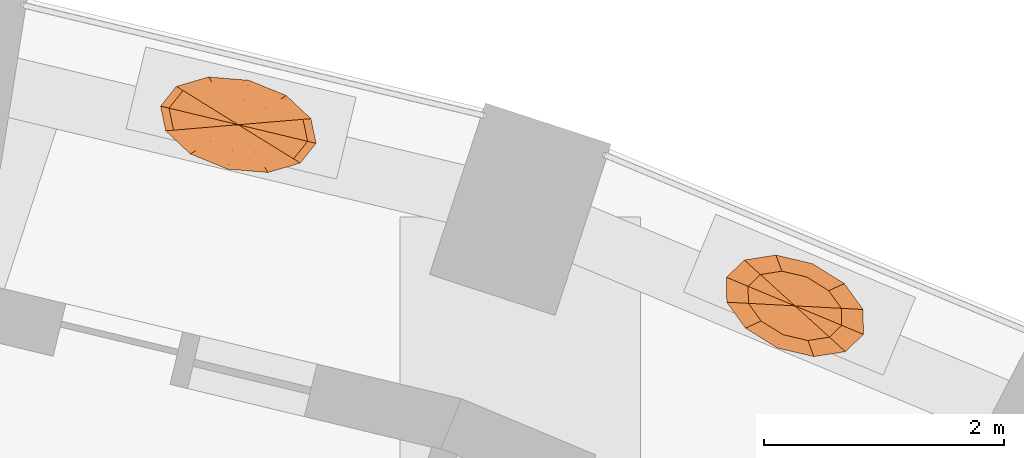
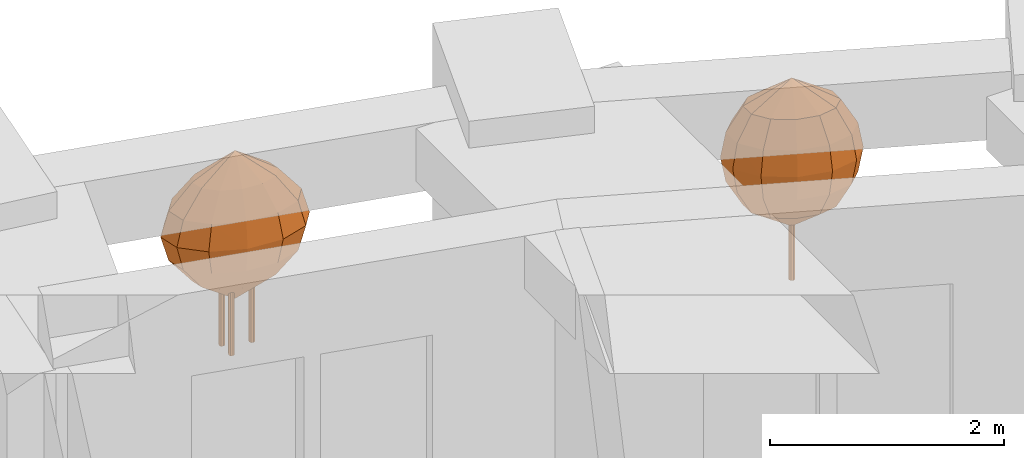
# One storey, part 13 of 13: 2 geographic elements.
"""IFC4 building model written with IfcOpenShell, lengths in metres."""

from ifc_helpers import new_model, si_unit, direction, frame, origin, place, context, subcontext, project, spatial, faceted_brep, material, constituent, constituent_set, type_object, element, save


model = new_model("IFC4")

# Units and contexts
model_context = context("Model", 3, precision=1e-05, world=origin(), true_north=direction((0.0, 1.0)))
body_context = subcontext(model_context, "Body", "Model", "MODEL_VIEW")
ifc_project = project(units=[si_unit("LENGTHUNIT", "METRE"), si_unit("AREAUNIT", "SQUARE_METRE"), si_unit("VOLUMEUNIT", "CUBIC_METRE"), si_unit("PLANEANGLEUNIT", "RADIAN"), si_unit("MASSUNIT", "GRAM", prefix="KILO")], contexts=[model_context])

# Site, building, storey
site_placement = place(None, origin())
site = spatial("IfcSite", under=ifc_project, at=site_placement, CompositionType="ELEMENT")
building_placement = place(site_placement, origin())
building = spatial("IfcBuilding", under=site, at=building_placement, Name="Taillehof Tower", CompositionType="ELEMENT")
storey_placement = place(building_placement, frame((0.0, 0.0, 64.60009765625)))
storey = spatial("IfcBuildingStorey", under=building, at=storey_placement, Name="L17", CompositionType="ELEMENT", Elevation=64.60009765625)

# Geographic elements
ifc_material_1 = material(Name="Tree bark", Category="timber")
ifc_constituent_1 = constituent(ifc_material_1, Name="Trunk", Category="timber")
ifc_material_2 = material(Name="Tree foliage")
ifc_constituent_2 = constituent(ifc_material_2, Name="Crown")
ifc_constituent_set_1 = constituent_set(constituents=[ifc_constituent_1, ifc_constituent_2], Name="Tree TR1 Columnar hornbeam")
geographic_element_type_1 = type_object("IfcGeographicElementType", Name="Tree TR1 Columnar hornbeam", PredefinedType="USERDEFINED", material=ifc_constituent_set_1)
geographic_element_1_placement = place(storey_placement, frame((11.947509765625, 22.923583984375, 0.75)))
element("IfcGeographicElement", 1, at=geographic_element_1_placement, inside=storey, type_object=geographic_element_type_1, Name="Tree TR1 Columnar hornbeam", ObjectType="TREE", PredefinedType="USERDEFINED", context=body_context, shape_type="Brep", body=[
    faceted_brep([(0.030029296875, 0.0, 0.0), (0.021240234375, 0.021240234375, 0.0), (0.021240234375, 0.021240234375, 1.092529296875), (0.030029296875, 0.0, 1.092529296875), (0.0, 0.030029296875, 0.0), (0.0, 0.030029296875, 1.092529296875), (-0.021240234375, 0.021240234375, 0.0), (-0.021240234375, 0.021240234375, 1.092529296875), (-0.030029296875, 0.0, 0.0), (-0.030029296875, 0.0, 1.092529296875), (-0.021240234375, -0.021240234375, 0.0), (-0.021240234375, -0.021240234375, 1.092529296875), (0.0, -0.030029296875, 0.0), (0.0, -0.030029296875, 1.092529296875), (0.021240234375, -0.021240234375, 0.0), (0.021240234375, -0.021240234375, 1.092529296875)], [[[0, 1, 2, 3]], [[1, 4, 5, 2]], [[4, 6, 7, 5]], [[6, 8, 9, 7]], [[8, 10, 11, 9]], [[10, 12, 13, 11]], [[12, 14, 15, 13]], [[14, 0, 3, 15]], [[14, 12, 10, 8, 6, 4, 1, 0]], [[3, 2, 5, 7, 9, 11, 13, 15]]]),
    faceted_brep([(0.0, 0.0, 0.550048828125), (-0.386962890625, 0.020751953125, 0.808349609375), (-0.389404296875, 0.162353515625, 0.808349609375), (-0.28125, -0.126220703125, 0.808349609375), (-0.099853515625, -0.239501953125, 0.808349609375), (0.108154296875, -0.28857421875, 0.808349609375), (0.287109375, -0.26025390625, 0.808349609375), (0.389404296875, -0.162353515625, 0.808349609375), (0.386962890625, -0.020751953125, 0.808349609375), (0.28125, 0.126220703125, 0.808349609375), (0.099853515625, 0.239501953125, 0.808349609375), (-0.108154296875, 0.28857421875, 0.808349609375), (-0.287109375, 0.26025390625, 0.808349609375), (-0.523681640625, 0.028076171875, 1.066650390625), (-0.526611328125, 0.219482421875, 1.066650390625), (-0.38037109375, -0.1708984375, 1.066650390625), (-0.135009765625, -0.323974609375, 1.066650390625), (0.146240234375, -0.390380859375, 1.066650390625), (0.388427734375, -0.35205078125, 1.066650390625), (0.526611328125, -0.219482421875, 1.066650390625), (0.523681640625, -0.028076171875, 1.066650390625), (0.38037109375, 0.1708984375, 1.066650390625), (0.135009765625, 0.323974609375, 1.066650390625), (-0.146240234375, 0.390380859375, 1.066650390625), (-0.388427734375, 0.35205078125, 1.066650390625), (-0.566650390625, 0.0302734375, 1.324951171875), (-0.570068359375, 0.237548828125, 1.324951171875), (-0.41162109375, -0.18505859375, 1.324951171875), (-0.146240234375, -0.350830078125, 1.324951171875), (0.158447265625, -0.422607421875, 1.324951171875), (0.42041015625, -0.381103515625, 1.324951171875), (0.570068359375, -0.237548828125, 1.324951171875), (0.566650390625, -0.0302734375, 1.324951171875), (0.41162109375, 0.18505859375, 1.324951171875), (0.146240234375, 0.350830078125, 1.324951171875), (-0.158447265625, 0.422607421875, 1.324951171875), (-0.42041015625, 0.381103515625, 1.324951171875), (-0.523681640625, 0.028076171875, 1.583251953125), (-0.526611328125, 0.219482421875, 1.583251953125), (-0.38037109375, -0.1708984375, 1.583251953125), (-0.135009765625, -0.323974609375, 1.583251953125), (0.146240234375, -0.390380859375, 1.583251953125), (0.388427734375, -0.35205078125, 1.583251953125), (0.526611328125, -0.219482421875, 1.583251953125), (0.523681640625, -0.028076171875, 1.583251953125), (0.38037109375, 0.1708984375, 1.583251953125), (0.135009765625, 0.323974609375, 1.583251953125), (-0.146240234375, 0.390380859375, 1.583251953125), (-0.388427734375, 0.35205078125, 1.583251953125), (-0.386962890625, 0.020751953125, 1.841552734375), (-0.389404296875, 0.162353515625, 1.841552734375), (-0.28125, -0.126220703125, 1.841552734375), (-0.099853515625, -0.239501953125, 1.841552734375), (0.108154296875, -0.28857421875, 1.841552734375), (0.287109375, -0.26025390625, 1.841552734375), (0.389404296875, -0.162353515625, 1.841552734375), (0.386962890625, -0.020751953125, 1.841552734375), (0.28125, 0.126220703125, 1.841552734375), (0.099853515625, 0.239501953125, 1.841552734375), (-0.108154296875, 0.28857421875, 1.841552734375), (-0.287109375, 0.26025390625, 1.841552734375), (0.0, 0.0, 2.10009765625)], [[[0, 1, 2]], [[0, 3, 1]], [[0, 4, 3]], [[0, 5, 4]], [[0, 6, 5]], [[0, 7, 6]], [[0, 8, 7]], [[0, 9, 8]], [[0, 10, 9]], [[0, 11, 10]], [[0, 12, 11]], [[0, 2, 12]], [[2, 1, 13, 14]], [[1, 3, 15, 13]], [[3, 4, 16, 15]], [[4, 5, 17, 16]], [[5, 6, 18, 17]], [[6, 7, 19, 18]], [[7, 8, 20, 19]], [[8, 9, 21, 20]], [[9, 10, 22, 21]], [[10, 11, 23, 22]], [[11, 12, 24, 23]], [[12, 2, 14, 24]], [[14, 13, 25, 26]], [[13, 15, 27, 25]], [[15, 16, 28, 27]], [[16, 17, 29, 28]], [[17, 18, 30, 29]], [[18, 19, 31, 30]], [[19, 20, 32, 31]], [[20, 21, 33, 32]], [[21, 22, 34, 33]], [[22, 23, 35, 34]], [[23, 24, 36, 35]], [[24, 14, 26, 36]], [[26, 25, 37, 38]], [[25, 27, 39, 37]], [[27, 28, 40, 39]], [[28, 29, 41, 40]], [[29, 30, 42, 41]], [[30, 31, 43, 42]], [[31, 32, 44, 43]], [[32, 33, 45, 44]], [[33, 34, 46, 45]], [[34, 35, 47, 46]], [[35, 36, 48, 47]], [[36, 26, 38, 48]], [[38, 37, 49, 50]], [[37, 39, 51, 49]], [[39, 40, 52, 51]], [[40, 41, 53, 52]], [[41, 42, 54, 53]], [[42, 43, 55, 54]], [[43, 44, 56, 55]], [[44, 45, 57, 56]], [[45, 46, 58, 57]], [[46, 47, 59, 58]], [[47, 48, 60, 59]], [[48, 38, 50, 60]], [[50, 49, 61]], [[49, 51, 61]], [[51, 52, 61]], [[52, 53, 61]], [[53, 54, 61]], [[54, 55, 61]], [[55, 56, 61]], [[56, 57, 61]], [[57, 58, 61]], [[58, 59, 61]], [[59, 60, 61]], [[60, 50, 61]]]),
])
ifc_material_3 = material(Name="Tree bark", Category="timber")
ifc_constituent_3 = constituent(ifc_material_3, Name="Trunk", Category="timber")
ifc_material_4 = material(Name="Tree foliage")
ifc_constituent_4 = constituent(ifc_material_4, Name="Crown")
ifc_constituent_set_2 = constituent_set(constituents=[ifc_constituent_3, ifc_constituent_4], Name="Tree TR3 Multi-stem serviceberry")
geographic_element_type_2 = type_object("IfcGeographicElementType", Name="Tree TR3 Multi-stem serviceberry", PredefinedType="USERDEFINED", material=ifc_constituent_set_2)
geographic_element_2_placement = place(storey_placement, frame((7.31640625, 24.430419921875, 0.75)))
element("IfcGeographicElement", 2, at=geographic_element_2_placement, inside=storey, type_object=geographic_element_type_2, Name="Tree TR3 Multi-stem serviceberry", ObjectType="TREE", PredefinedType="USERDEFINED", context=body_context, shape_type="Brep", body=[
    faceted_brep([(0.195068359375, 0.0, 0.0), (0.186767578125, 0.0205078125, 0.0), (0.186767578125, 0.0205078125, 1.04248046875), (0.195068359375, 0.0, 1.04248046875), (0.166259765625, 0.02880859375, 0.0), (0.166259765625, 0.02880859375, 1.04248046875), (0.145751953125, 0.0205078125, 0.0), (0.145751953125, 0.0205078125, 1.04248046875), (0.137451171875, 0.0, 0.0), (0.137451171875, 0.0, 1.04248046875), (0.145751953125, -0.0205078125, 0.0), (0.145751953125, -0.0205078125, 1.04248046875), (0.166259765625, -0.02880859375, 0.0), (0.166259765625, -0.02880859375, 1.04248046875), (0.186767578125, -0.0205078125, 0.0), (0.186767578125, -0.0205078125, 1.04248046875)], [[[0, 1, 2, 3]], [[1, 4, 5, 2]], [[4, 6, 7, 5]], [[6, 8, 9, 7]], [[8, 10, 11, 9]], [[10, 12, 13, 11]], [[12, 14, 15, 13]], [[14, 0, 3, 15]], [[14, 12, 10, 8, 6, 4, 1, 0]], [[3, 2, 5, 7, 9, 11, 13, 15]]]),
    faceted_brep([(-0.05419921875, 0.082275390625, 0.0), (-0.062744140625, 0.102783203125, 0.0), (-0.062744140625, 0.102783203125, 1.04248046875), (-0.05419921875, 0.082275390625, 1.04248046875), (-0.0830078125, 0.111083984375, 0.0), (-0.0830078125, 0.111083984375, 1.04248046875), (-0.103515625, 0.102783203125, 0.0), (-0.103515625, 0.102783203125, 1.04248046875), (-0.112060546875, 0.082275390625, 0.0), (-0.112060546875, 0.082275390625, 1.04248046875), (-0.103515625, 0.061767578125, 0.0), (-0.103515625, 0.061767578125, 1.04248046875), (-0.0830078125, 0.053466796875, 0.0), (-0.0830078125, 0.053466796875, 1.04248046875), (-0.062744140625, 0.061767578125, 0.0), (-0.062744140625, 0.061767578125, 1.04248046875)], [[[0, 1, 2, 3]], [[1, 4, 5, 2]], [[4, 6, 7, 5]], [[6, 8, 9, 7]], [[8, 10, 11, 9]], [[10, 12, 13, 11]], [[12, 14, 15, 13]], [[14, 0, 3, 15]], [[14, 12, 10, 8, 6, 4, 1, 0]], [[3, 2, 5, 7, 9, 11, 13, 15]]]),
    faceted_brep([(-0.05419921875, -0.082275390625, 0.0), (-0.062744140625, -0.061767578125, 0.0), (-0.062744140625, -0.061767578125, 1.04248046875), (-0.05419921875, -0.082275390625, 1.04248046875), (-0.0830078125, -0.053466796875, 0.0), (-0.0830078125, -0.053466796875, 1.04248046875), (-0.103515625, -0.061767578125, 0.0), (-0.103515625, -0.061767578125, 1.04248046875), (-0.112060546875, -0.082275390625, 0.0), (-0.112060546875, -0.082275390625, 1.04248046875), (-0.103515625, -0.102783203125, 0.0), (-0.103515625, -0.102783203125, 1.04248046875), (-0.0830078125, -0.111083984375, 0.0), (-0.0830078125, -0.111083984375, 1.04248046875), (-0.062744140625, -0.102783203125, 0.0), (-0.062744140625, -0.102783203125, 1.04248046875)], [[[0, 1, 2, 3]], [[1, 4, 5, 2]], [[4, 6, 7, 5]], [[6, 8, 9, 7]], [[8, 10, 11, 9]], [[10, 12, 13, 11]], [[12, 14, 15, 13]], [[14, 0, 3, 15]], [[14, 12, 10, 8, 6, 4, 1, 0]], [[3, 2, 5, 7, 9, 11, 13, 15]]]),
    faceted_brep([(0.0, 0.0, 0.5), (-0.34716796875, -0.029052734375, 0.75830078125), (-0.371337890625, 0.0888671875, 0.75830078125), (-0.229736328125, -0.139404296875, 0.75830078125), (-0.05078125, -0.212158203125, 0.75830078125), (0.1416015625, -0.228271484375, 0.75830078125), (0.296142578125, -0.18310546875, 0.75830078125), (0.371337890625, -0.0888671875, 0.75830078125), (0.34716796875, 0.029052734375, 0.75830078125), (0.229736328125, 0.139404296875, 0.75830078125), (0.05078125, 0.212158203125, 0.75830078125), (-0.1416015625, 0.228271484375, 0.75830078125), (-0.296142578125, 0.18310546875, 0.75830078125), (-0.53857421875, -0.045166015625, 1.0166015625), (-0.576416015625, 0.13818359375, 1.0166015625), (-0.3564453125, -0.21630859375, 1.0166015625), (-0.078857421875, -0.329345703125, 1.0166015625), (0.219970703125, -0.354248046875, 1.0166015625), (0.459716796875, -0.2841796875, 1.0166015625), (0.576416015625, -0.13818359375, 1.0166015625), (0.53857421875, 0.045166015625, 1.0166015625), (0.3564453125, 0.21630859375, 1.0166015625), (0.078857421875, 0.329345703125, 1.0166015625), (-0.219970703125, 0.354248046875, 1.0166015625), (-0.459716796875, 0.2841796875, 1.0166015625), (-0.604248046875, -0.050537109375, 1.27490234375), (-0.646728515625, 0.15478515625, 1.27490234375), (-0.39990234375, -0.24267578125, 1.27490234375), (-0.088623046875, -0.36962890625, 1.27490234375), (0.24658203125, -0.3974609375, 1.27490234375), (0.515869140625, -0.31884765625, 1.27490234375), (0.646728515625, -0.15478515625, 1.27490234375), (0.604248046875, 0.050537109375, 1.27490234375), (0.39990234375, 0.24267578125, 1.27490234375), (0.088623046875, 0.36962890625, 1.27490234375), (-0.24658203125, 0.3974609375, 1.27490234375), (-0.515869140625, 0.31884765625, 1.27490234375), (-0.53857421875, -0.045166015625, 1.533447265625), (-0.576416015625, 0.13818359375, 1.533447265625), (-0.3564453125, -0.21630859375, 1.533447265625), (-0.078857421875, -0.329345703125, 1.533447265625), (0.219970703125, -0.354248046875, 1.533447265625), (0.459716796875, -0.2841796875, 1.533447265625), (0.576416015625, -0.13818359375, 1.533447265625), (0.53857421875, 0.045166015625, 1.533447265625), (0.3564453125, 0.21630859375, 1.533447265625), (0.078857421875, 0.329345703125, 1.533447265625), (-0.219970703125, 0.354248046875, 1.533447265625), (-0.459716796875, 0.2841796875, 1.533447265625), (-0.34716796875, -0.029052734375, 1.791748046875), (-0.371337890625, 0.0888671875, 1.791748046875), (-0.229736328125, -0.139404296875, 1.791748046875), (-0.05078125, -0.212158203125, 1.791748046875), (0.1416015625, -0.228271484375, 1.791748046875), (0.296142578125, -0.18310546875, 1.791748046875), (0.371337890625, -0.0888671875, 1.791748046875), (0.34716796875, 0.029052734375, 1.791748046875), (0.229736328125, 0.139404296875, 1.791748046875), (0.05078125, 0.212158203125, 1.791748046875), (-0.1416015625, 0.228271484375, 1.791748046875), (-0.296142578125, 0.18310546875, 1.791748046875), (0.0, 0.0, 2.050048828125)], [[[0, 1, 2]], [[0, 3, 1]], [[0, 4, 3]], [[0, 5, 4]], [[0, 6, 5]], [[0, 7, 6]], [[0, 8, 7]], [[0, 9, 8]], [[0, 10, 9]], [[0, 11, 10]], [[0, 12, 11]], [[0, 2, 12]], [[2, 1, 13, 14]], [[1, 3, 15, 13]], [[3, 4, 16, 15]], [[4, 5, 17, 16]], [[5, 6, 18, 17]], [[6, 7, 19, 18]], [[7, 8, 20, 19]], [[8, 9, 21, 20]], [[9, 10, 22, 21]], [[10, 11, 23, 22]], [[11, 12, 24, 23]], [[12, 2, 14, 24]], [[14, 13, 25, 26]], [[13, 15, 27, 25]], [[15, 16, 28, 27]], [[16, 17, 29, 28]], [[17, 18, 30, 29]], [[18, 19, 31, 30]], [[19, 20, 32, 31]], [[20, 21, 33, 32]], [[21, 22, 34, 33]], [[22, 23, 35, 34]], [[23, 24, 36, 35]], [[24, 14, 26, 36]], [[26, 25, 37, 38]], [[25, 27, 39, 37]], [[27, 28, 40, 39]], [[28, 29, 41, 40]], [[29, 30, 42, 41]], [[30, 31, 43, 42]], [[31, 32, 44, 43]], [[32, 33, 45, 44]], [[33, 34, 46, 45]], [[34, 35, 47, 46]], [[35, 36, 48, 47]], [[36, 26, 38, 48]], [[38, 37, 49, 50]], [[37, 39, 51, 49]], [[39, 40, 52, 51]], [[40, 41, 53, 52]], [[41, 42, 54, 53]], [[42, 43, 55, 54]], [[43, 44, 56, 55]], [[44, 45, 57, 56]], [[45, 46, 58, 57]], [[46, 47, 59, 58]], [[47, 48, 60, 59]], [[48, 38, 50, 60]], [[50, 49, 61]], [[49, 51, 61]], [[51, 52, 61]], [[52, 53, 61]], [[53, 54, 61]], [[54, 55, 61]], [[55, 56, 61]], [[56, 57, 61]], [[57, 58, 61]], [[58, 59, 61]], [[59, 60, 61]], [[60, 50, 61]]]),
])

save(model, "model.ifc")
